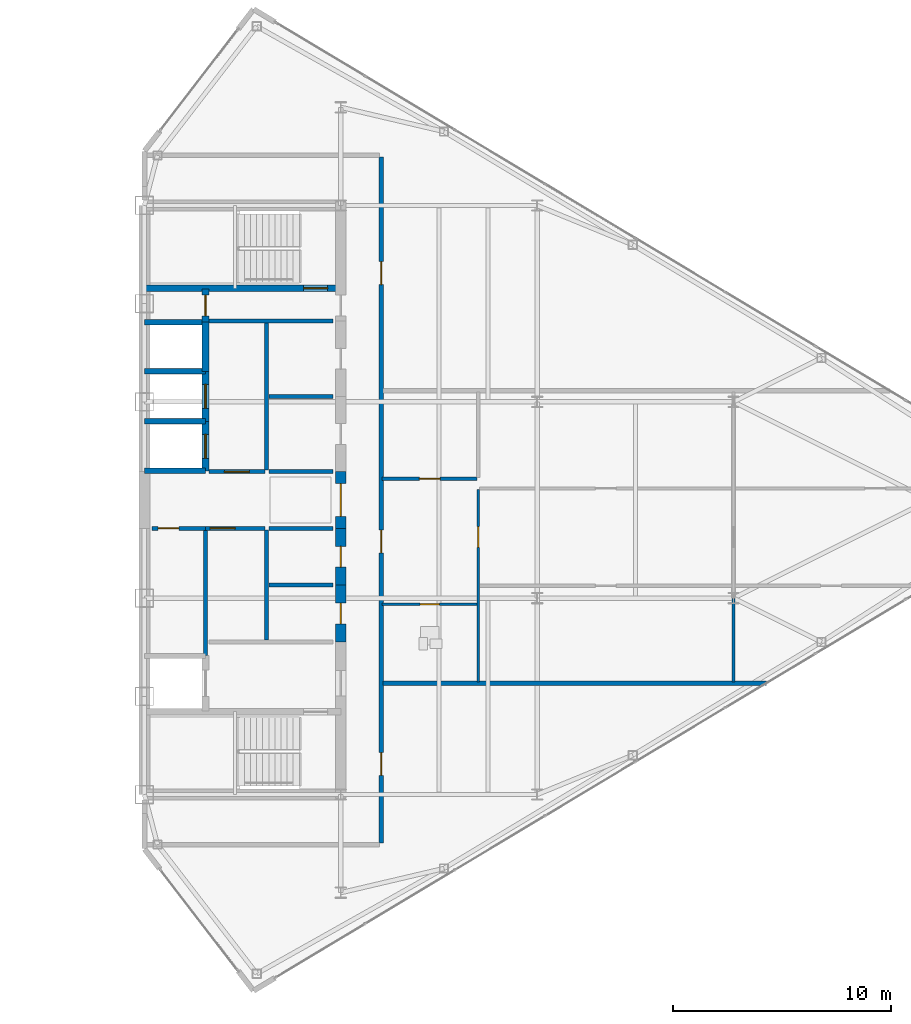
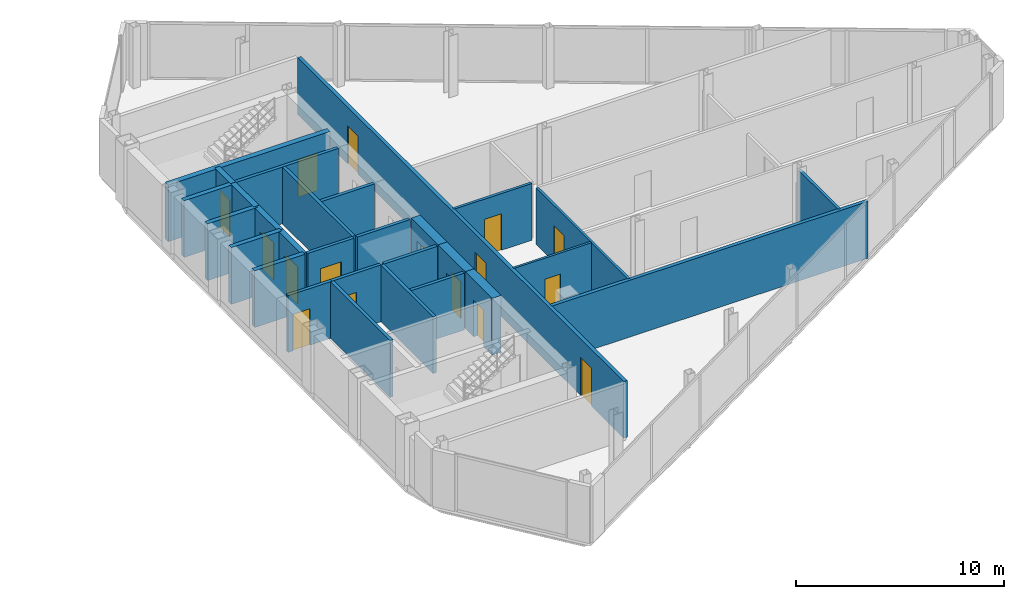
# One storey, part 22 of 26: 29 walls, 16 doors, 16 openings.
"""IFC4 building model written with IfcOpenShell, lengths in metres."""

from ifc_helpers import new_model, si_unit, direction, frame, frame_2d, origin, place, context, subcontext, project, spatial, rectangle, extrude, source, transform, mapped, material, layer, layer_set, type_object, type_shapes, element, fill, save


model = new_model("IFC4")

# Units and contexts
model_context = context("Model", 3, precision=1e-05, world=origin(), true_north=direction((0.0, 1.0)))
body_context = subcontext(model_context, "Body", "Model", "MODEL_VIEW")
ifc_project = project(units=[si_unit("LENGTHUNIT", "METRE"), si_unit("AREAUNIT", "SQUARE_METRE"), si_unit("VOLUMEUNIT", "CUBIC_METRE"), si_unit("PLANEANGLEUNIT", "RADIAN"), si_unit("MASSUNIT", "GRAM", prefix="KILO")], contexts=[model_context])

# Site, building, storey
site_placement = place(None, origin())
site = spatial("IfcSite", under=ifc_project, at=site_placement, CompositionType="ELEMENT")
building_placement = place(site_placement, origin())
building = spatial("IfcBuilding", under=site, at=building_placement, Name="Seokmaru Belvedere", CompositionType="ELEMENT")
storey_placement = place(building_placement, frame((0.0, 0.0, 221.10009765625)))
storey = spatial("IfcBuildingStorey", under=building, at=storey_placement, Name="L59", CompositionType="ELEMENT", Elevation=221.10009765625)

# Wall, opening, door
ifc_material_1 = material(Name="Fire-Rated Gypsum Shaftwall")
ifc_layer_1 = layer(ifc_material_1, 0.14990234375)
ifc_layer_set_1 = layer_set([ifc_layer_1], Name="Fire-Rated Gypsum Shaftwall")
wall_type_1 = type_object("IfcWallType", Name="Apartment Fire-Acoustic Room Partition 150", PredefinedType="PARTITIONING", material=ifc_layer_set_1)
wall_1_placement = place(storey_placement, frame((38.39990234375, 0.97998046875, 0.0), z_axis=(0.0, 0.0, 1.0), x_axis=(1.0, 0.0, 0.0)))
wall_1 = element("IfcWall", 1, at=wall_1_placement, inside=storey, type_object=wall_type_1, Name="L59 Interior Partition 010", PredefinedType="PARTITIONING", context=body_context, shape_type="SweptSolid", body=[
    extrude(rectangle(XDim=4.35009765625, YDim=0.14990234375, at=frame_2d((2.175048828125, 0.0))), origin(), (0.0, 0.0, 1.0), 3.33984375),
])
opening_1_placement = place(wall_1_placement, frame((1.699951171875, 0.0, 0.0)))
opening_1 = element("IfcOpeningElement", 2, at=opening_1_placement, cuts=wall_1, Name="Opening D05", PredefinedType="OPENING", context=body_context, shape_type="SweptSolid", body=[
    extrude(rectangle(XDim=0.949951171875, YDim=2.14990234375, at=frame_2d((0.47509765625, 1.074951171875))), frame((0.0, 0.0849609375, 0.0), z_axis=(0.0, -1.0, 0.0), x_axis=(1.0, 0.0, 0.0)), (0.0, 0.0, 1.0), 0.169921875),
])
ifc_material_2 = material(Name="Engineered White Oak Timber", Category="wood")
door_type_1 = type_object("IfcDoorType", Name="Apartment Interior Fire-Rated Oak Door 950x2150", OperationType="NOTDEFINED", PredefinedType="DOOR", material=ifc_material_2)
shared_shape_1 = source(origin(), body_context, "Body", "SweptSolid", [
    extrude(rectangle(XDim=0.949951171875, YDim=2.14990234375, at=frame_2d((0.47509765625, 1.074951171875))), frame((0.0, 0.02490234375, 0.0), z_axis=(0.0, -1.0, 0.0), x_axis=(1.0, 0.0, 0.0)), (0.0, 0.0, 1.0), 0.050048828125),
])
type_shapes(door_type_1, [shared_shape_1])
door_1_placement = place(opening_1_placement, origin())
door_1 = element("IfcDoor", 3, at=door_1_placement, inside=storey, type_object=door_type_1, Name="L59 Interior Door 020", OperationType="SINGLE_SWING_RIGHT", OverallHeight=2.14990234375, OverallWidth=0.949951171875, PredefinedType="DOOR", context=body_context, shape_type="MappedRepresentation", body=[
    mapped(shared_shape_1, transform((0.0, 0.0, 0.0), scale=1.0)),
])
fill(opening_1, door_1)

# Walls
wall_2_placement = place(storey_placement, frame((54.5, -8.35009765625, 0.0), z_axis=(0.0, 0.0, 1.0), x_axis=(0.0, 1.0, 0.0)))
element("IfcWall", 4, at=wall_2_placement, inside=storey, type_object=wall_type_1, Name="L59 Interior Partition 030", PredefinedType="PARTITIONING", context=body_context, shape_type="SweptSolid", body=[
    extrude(rectangle(XDim=3.830078125, YDim=0.14990234375, at=frame_2d((1.9150390625, 0.0))), origin(), (0.0, 0.0, 1.0), 3.33984375),
])
ifc_layer_2 = layer(ifc_material_1, 0.179931640625)
ifc_layer_set_2 = layer_set([ifc_layer_2], Name="Fire-Rated Gypsum Shaftwall")
wall_type_2 = type_object("IfcWallType", Name="Core Service Fire Partition 180", PredefinedType="PARTITIONING", material=ifc_layer_set_2)
wall_3_placement = place(storey_placement, frame((30.449951171875, 8.199951171875, 0.0), z_axis=(0.0, 0.0, 1.0), x_axis=(1.0, 0.0, 0.0)))
element("IfcWall", 5, at=wall_3_placement, inside=storey, type_object=wall_type_2, Name="L59 East Smokeproof Vestibule Partition", PredefinedType="PARTITIONING", context=body_context, shape_type="SweptSolid", body=[
    extrude(rectangle(XDim=5.699951171875, YDim=0.179931640625, at=frame_2d((2.85009765625, 0.0))), origin(), (0.0, 0.0, 1.0), 3.33984375),
])
wall_4_placement = place(storey_placement, frame((33.10009765625, -6.419921875, 0.0), z_axis=(0.0, 0.0, 1.0), x_axis=(0.0, 1.0, 0.0)))
element("IfcWall", 6, at=wall_4_placement, inside=storey, type_object=wall_type_2, Name="L59 East South Core Service Back Wall", PredefinedType="PARTITIONING", context=body_context, shape_type="SweptSolid", body=[
    extrude(rectangle(XDim=5.0400390625, YDim=0.179931640625, at=frame_2d((2.52001953125, 0.0))), origin(), (0.0, 0.0, 1.0), 3.33984375),
])
wall_5_placement = place(storey_placement, frame((33.10009765625, 1.3798828125, 0.0), z_axis=(0.0, 0.0, 1.0), x_axis=(0.0, 1.0, 0.0)))
element("IfcWall", 7, at=wall_5_placement, inside=storey, type_object=wall_type_2, Name="L59 East North Core Service Back Wall", PredefinedType="PARTITIONING", context=body_context, shape_type="SweptSolid", body=[
    extrude(rectangle(XDim=6.740234375, YDim=0.179931640625, at=frame_2d((3.3701171875, 0.0))), origin(), (0.0, 0.0, 1.0), 3.33984375),
])

# Wall, opening, door
wall_6_placement = place(storey_placement, frame((27.85009765625, -1.300048828125, 0.0), z_axis=(0.0, 0.0, 1.0), x_axis=(1.0, 0.0, 0.0)))
wall_6 = element("IfcWall", 8, at=wall_6_placement, inside=storey, type_object=wall_type_2, Name="L59 East South Parcel Vault Foyer Wall", PredefinedType="PARTITIONING", context=body_context, shape_type="SweptSolid", body=[
    extrude(rectangle(XDim=2.449951171875, YDim=0.179931640625, at=frame_2d((1.22509765625, 0.0))), origin(), (0.0, 0.0, 1.0), 3.33984375),
])
opening_2_placement = place(wall_6_placement, frame((0.27490234375, 0.0, 0.0)))
opening_2 = element("IfcOpeningElement", 9, at=opening_2_placement, cuts=wall_6, Name="Opening D04", PredefinedType="OPENING", context=body_context, shape_type="SweptSolid", body=[
    extrude(rectangle(XDim=0.949951171875, YDim=2.14990234375, at=frame_2d((0.47509765625, 1.074951171875))), frame((0.0, 0.10009765625, 0.0), z_axis=(0.0, -1.0, 0.0), x_axis=(1.0, 0.0, 0.0)), (0.0, 0.0, 1.0), 0.199951171875),
])
ifc_material_3 = material(Name="Fire-Rated Steel Leaf", Category="steel")
door_type_2 = type_object("IfcDoorType", Name="Core Service Room Fire Door 950x2150", OperationType="NOTDEFINED", PredefinedType="DOOR", material=ifc_material_3)
shared_shape_2 = source(origin(), body_context, "Body", "SweptSolid", [
    extrude(rectangle(XDim=0.949951171875, YDim=2.14990234375, at=frame_2d((0.47509765625, 1.074951171875))), frame((0.0, 0.02490234375, 0.0), z_axis=(0.0, -1.0, 0.0), x_axis=(1.0, 0.0, 0.0)), (0.0, 0.0, 1.0), 0.050048828125),
])
type_shapes(door_type_2, [shared_shape_2])
door_2_placement = place(opening_2_placement, origin())
door_2 = element("IfcDoor", 10, at=door_2_placement, inside=storey, type_object=door_type_2, Name="L59 East South Parcel Vault Door", OperationType="SINGLE_SWING_RIGHT", OverallHeight=2.14990234375, OverallWidth=0.949951171875, PredefinedType="DOOR", context=body_context, shape_type="MappedRepresentation", body=[
    mapped(shared_shape_2, transform((0.0, 0.0, 0.0), scale=1.0)),
])
fill(opening_2, door_2)

wall_7_placement = place(storey_placement, frame((30.300048828125, -1.300048828125, 0.0), z_axis=(0.0, 0.0, 1.0), x_axis=(1.0, 0.0, 0.0)))
wall_7 = element("IfcWall", 11, at=wall_7_placement, inside=storey, type_object=wall_type_2, Name="L59 East South Wine Cellar Foyer Wall", PredefinedType="PARTITIONING", context=body_context, shape_type="SweptSolid", body=[
    extrude(rectangle(XDim=2.719970703125, YDim=0.179931640625, at=frame_2d((1.35986328125, 0.0))), origin(), (0.0, 0.0, 1.0), 3.33984375),
])
opening_3_placement = place(wall_7_placement, frame((0.2099609375, 0.0, 0.0)))
opening_3 = element("IfcOpeningElement", 12, at=opening_3_placement, cuts=wall_7, Name="Opening D02", PredefinedType="OPENING", context=body_context, shape_type="SweptSolid", body=[
    extrude(rectangle(XDim=1.14990234375, YDim=2.199951171875, at=frame_2d((0.574951171875, 1.10009765625))), frame((0.0, 0.10009765625, 0.0), z_axis=(0.0, -1.0, 0.0), x_axis=(1.0, 0.0, 0.0)), (0.0, 0.0, 1.0), 0.199951171875),
])
door_type_3 = type_object("IfcDoorType", Name="Lobby and Vestibule Fire Door 1150x2200", OperationType="NOTDEFINED", PredefinedType="DOOR", material=ifc_material_3)
shared_shape_3 = source(origin(), body_context, "Body", "SweptSolid", [
    extrude(rectangle(XDim=1.14990234375, YDim=2.199951171875, at=frame_2d((0.574951171875, 1.10009765625))), frame((0.0, 0.02490234375, 0.0), z_axis=(0.0, -1.0, 0.0), x_axis=(1.0, 0.0, 0.0)), (0.0, 0.0, 1.0), 0.050048828125),
])
type_shapes(door_type_3, [shared_shape_3])
door_3_placement = place(opening_3_placement, origin())
door_3 = element("IfcDoor", 13, at=door_3_placement, inside=storey, type_object=door_type_3, Name="L59 East South Core Foyer Door", OperationType="SINGLE_SWING_RIGHT", OverallHeight=2.199951171875, OverallWidth=1.14990234375, PredefinedType="DOOR", context=body_context, shape_type="MappedRepresentation", body=[
    mapped(shared_shape_3, transform((0.0, 0.0, 0.0), scale=1.0)),
])
fill(opening_3, door_3)

# Wall
wall_8_placement = place(storey_placement, frame((30.300048828125, -7.1201171875, 0.0), z_axis=(0.0, 0.0, 1.0), x_axis=(0.0, 1.0, 0.0)))
element("IfcWall", 14, at=wall_8_placement, inside=storey, type_object=wall_type_2, Name="L59 East Freed Shaft Vault Partition", PredefinedType="PARTITIONING", context=body_context, shape_type="SweptSolid", body=[
    extrude(rectangle(XDim=5.740234375, YDim=0.179931640625, at=frame_2d((2.8701171875, 0.0))), origin(), (0.0, 0.0, 1.0), 3.33984375),
])

# Wall, opening, door
wall_9_placement = place(storey_placement, frame((30.449951171875, 1.300048828125, 0.0), z_axis=(0.0, 0.0, 1.0), x_axis=(1.0, 0.0, 0.0)))
wall_9 = element("IfcWall", 15, at=wall_9_placement, inside=storey, type_object=wall_type_2, Name="L59 East North Lift Lobby Foyer Wall", PredefinedType="PARTITIONING", context=body_context, shape_type="SweptSolid", body=[
    extrude(rectangle(XDim=2.570068359375, YDim=0.179931640625, at=frame_2d((1.28515625, 0.0))), origin(), (0.0, 0.0, 1.0), 3.33984375),
])
opening_4_placement = place(wall_9_placement, frame((0.7099609375, 0.0, 0.0)))
opening_4 = element("IfcOpeningElement", 16, at=opening_4_placement, cuts=wall_9, Name="Opening D02", PredefinedType="OPENING", context=body_context, shape_type="SweptSolid", body=[
    extrude(rectangle(XDim=1.14990234375, YDim=2.199951171875, at=frame_2d((0.574951171875, 1.10009765625))), frame((0.0, 0.10009765625, 0.0), z_axis=(0.0, -1.0, 0.0), x_axis=(1.0, 0.0, 0.0)), (0.0, 0.0, 1.0), 0.199951171875),
])
door_4_placement = place(opening_4_placement, origin())
door_4 = element("IfcDoor", 17, at=door_4_placement, inside=storey, type_object=door_type_3, Name="L59 East North Lift Lobby Door", OperationType="SINGLE_SWING_LEFT", OverallHeight=2.199951171875, OverallWidth=1.14990234375, PredefinedType="DOOR", context=body_context, shape_type="MappedRepresentation", body=[
    mapped(shared_shape_3, transform((0.0, 0.0, 0.0), scale=1.0)),
])
fill(opening_4, door_4)

# Walls
for number, where, z_axis, x_axis, name in (
    (18, (33.199951171875, -1.300048828125, 0.0), (0.0, 0.0, 1.0), (1.0, 0.0, 0.0), "L59 East Foyer Side Wall S"),
    (19, (33.199951171875, 1.300048828125, 0.0), (0.0, 0.0, 1.0), (1.0, 0.0, 0.0), "L59 East Foyer Side Wall N"),
    (20, (33.199951171875, -3.89990234375, 0.0), (0.0, 0.0, 1.0), (1.0, 0.0, 0.0), "L59 East Core Service Partition 1"),
    (21, (33.199951171875, 4.75, 0.0), (0.0, 0.0, 1.0), (1.0, 0.0, 0.0), "L59 East Core Service Partition 2"),
):
    element("IfcWall", number, at=place(storey_placement, frame(where, z_axis=z_axis, x_axis=x_axis)), inside=storey, type_object=wall_type_2, Name=name, PredefinedType="PARTITIONING", context=body_context, shape_type="SweptSolid", body=[
        extrude(rectangle(XDim=2.949951171875, YDim=0.179931640625, at=frame_2d((1.47509765625, 0.0))), origin(), (0.0, 0.0, 1.0), 3.33984375),
    ])
ifc_material_4 = material(Name="Concrete C50 (50 MPa)", Category="concrete")
ifc_layer_3 = layer(ifc_material_4, 0.25)
ifc_layer_set_3 = layer_set([ifc_layer_3], Name="Concrete C50 (50 MPa)")
wall_type_3 = type_object("IfcWallType", Name="Hoistway Transverse Concrete Divider Wall 250", PredefinedType="SHEAR", material=ifc_layer_set_3)
for number, where, z_axis, x_axis, name in (
    (22, (27.5, 1.35009765625, 0.0), (0.0, 0.0, 1.0), (1.0, 0.0, 0.0), "L59 East Hoistway Divider Core Wall 2"),
    (23, (27.5, 3.60009765625, 0.0), (0.0, 0.0, 1.0), (1.0, 0.0, 0.0), "L59 East Hoistway Divider Core Wall 3"),
    (24, (27.5, 5.89990234375, 0.0), (0.0, 0.0, 1.0), (1.0, 0.0, 0.0), "L59 East Hoistway Divider Core Wall 4"),
    (25, (27.5, 8.14990234375, 0.0), (0.0, 0.0, 1.0), (1.0, 0.0, 0.0), "L59 East Hoistway Divider Core Wall 5"),
):
    element("IfcWall", number, at=place(storey_placement, frame(where, z_axis=z_axis, x_axis=x_axis)), inside=storey, type_object=wall_type_3, Name=name, PredefinedType="SHEAR", context=body_context, shape_type="SweptSolid", body=[
        extrude(rectangle(XDim=2.800048828125, YDim=0.25, at=frame_2d((1.39990234375, 0.0))), origin(), (0.0, 0.0, 1.0), 3.33984375),
    ])
ifc_layer_4 = layer(ifc_material_1, 0.199951171875)
ifc_layer_set_4 = layer_set([ifc_layer_4], Name="Fire-Rated Gypsum Shaftwall")
wall_type_4 = type_object("IfcWallType", Name="Inter-Tenancy Fire Compartment Partition 200", PredefinedType="PARTITIONING", material=ifc_layer_set_4)
wall_10_placement = place(storey_placement, frame((38.429931640625, -8.39990234375, 0.0), z_axis=(0.0, 0.0, 1.0), x_axis=(1.0, 0.0, 0.0)))
element("IfcWall", 26, at=wall_10_placement, inside=storey, type_object=wall_type_4, Name="L59 Interior Partition 003", PredefinedType="PARTITIONING", context=body_context, shape_type="SweptSolid", body=[
    extrude(rectangle(XDim=17.580078125, YDim=0.199951171875, at=frame_2d((8.7900390625, 0.0))), origin(), (0.0, 0.0, 1.0), 3.33984375),
])

# Wall, openings, doors
wall_11_placement = place(storey_placement, frame((38.35009765625, -15.715087890625, 0.0), z_axis=(0.0, 0.0, 1.0), x_axis=(0.0, 1.0, 0.0)))
wall_11 = element("IfcWall", 27, at=wall_11_placement, inside=storey, type_object=wall_type_4, Name="L59 Interior Partition 027", PredefinedType="PARTITIONING", context=body_context, shape_type="SweptSolid", body=[
    extrude(rectangle(XDim=31.43017578125, YDim=0.199951171875, at=frame_2d((15.715087890625, 0.0))), origin(), (0.0, 0.0, 1.0), 3.33984375),
])
opening_5_placement = place(wall_11_placement, frame((3.090087890625, 0.0, 0.0)))
opening_5 = element("IfcOpeningElement", 28, at=opening_5_placement, cuts=wall_11, Name="Opening D03", PredefinedType="OPENING", context=body_context, shape_type="SweptSolid", body=[
    extrude(rectangle(XDim=1.050048828125, YDim=2.25, at=frame_2d((0.52490234375, 1.125))), frame((0.0, 0.10986328125, 0.0), z_axis=(0.0, -1.0, 0.0), x_axis=(1.0, 0.0, 0.0)), (0.0, 0.0, 1.0), 0.219970703125),
])
opening_6_placement = place(wall_11_placement, frame((13.2890625, 0.0, 0.0)))
opening_6 = element("IfcOpeningElement", 29, at=opening_6_placement, cuts=wall_11, Name="Opening D03", PredefinedType="OPENING", context=body_context, shape_type="SweptSolid", body=[
    extrude(rectangle(XDim=1.050048828125, YDim=2.25, at=frame_2d((0.52490234375, 1.125))), frame((0.0, 0.10986328125, 0.0), z_axis=(0.0, -1.0, 0.0), x_axis=(1.0, 0.0, 0.0)), (0.0, 0.0, 1.0), 0.219970703125),
])
opening_7_placement = place(wall_11_placement, frame((25.590087890625, 0.0, 0.0)))
opening_7 = element("IfcOpeningElement", 30, at=opening_7_placement, cuts=wall_11, Name="Opening D03", PredefinedType="OPENING", context=body_context, shape_type="SweptSolid", body=[
    extrude(rectangle(XDim=1.050048828125, YDim=2.25, at=frame_2d((0.52490234375, 1.125))), frame((0.0, 0.10986328125, 0.0), z_axis=(0.0, -1.0, 0.0), x_axis=(1.0, 0.0, 0.0)), (0.0, 0.0, 1.0), 0.219970703125),
])
door_type_4 = type_object("IfcDoorType", Name="Apartment Entrance Fire Door 1050x2250", OperationType="NOTDEFINED", PredefinedType="DOOR", material=ifc_material_3)
shared_shape_4 = source(origin(), body_context, "Body", "SweptSolid", [
    extrude(rectangle(XDim=1.050048828125, YDim=2.25, at=frame_2d((0.52490234375, 1.125))), frame((0.0, 0.02490234375, 0.0), z_axis=(0.0, -1.0, 0.0), x_axis=(1.0, 0.0, 0.0)), (0.0, 0.0, 1.0), 0.050048828125),
])
type_shapes(door_type_4, [shared_shape_4])
door_5_placement = place(opening_5_placement, origin())
door_5 = element("IfcDoor", 31, at=door_5_placement, inside=storey, type_object=door_type_4, Name="L59 Interior Door 017", OperationType="SINGLE_SWING_LEFT", OverallHeight=2.25, OverallWidth=1.050048828125, PredefinedType="DOOR", context=body_context, shape_type="MappedRepresentation", body=[
    mapped(shared_shape_4, transform((0.0, 0.0, 0.0), scale=1.0)),
])
fill(opening_5, door_5)
door_6_placement = place(opening_6_placement, origin())
door_6 = element("IfcDoor", 32, at=door_6_placement, inside=storey, type_object=door_type_4, Name="L59 Interior Door 018", OperationType="SINGLE_SWING_RIGHT", OverallHeight=2.25, OverallWidth=1.050048828125, PredefinedType="DOOR", context=body_context, shape_type="MappedRepresentation", body=[
    mapped(shared_shape_4, transform((0.0, 0.0, 0.0), scale=1.0)),
])
fill(opening_6, door_6)
door_7_placement = place(opening_7_placement, origin())
door_7 = element("IfcDoor", 33, at=door_7_placement, inside=storey, type_object=door_type_4, Name="L59 Interior Door 027", OperationType="SINGLE_SWING_LEFT", OverallHeight=2.25, OverallWidth=1.050048828125, PredefinedType="DOOR", context=body_context, shape_type="MappedRepresentation", body=[
    mapped(shared_shape_4, transform((0.0, 0.0, 0.0), scale=1.0)),
])
fill(opening_7, door_7)

# Wall, opening, door
ifc_layer_5 = layer(ifc_material_4, 0.300048828125)
ifc_layer_set_5 = layer_set([ifc_layer_5], Name="Concrete C50 (50 MPa)")
wall_type_5 = type_object("IfcWallType", Name="Internal Core Stair and Hoistway Wall 300", PredefinedType="SHEAR", material=ifc_layer_set_5)
wall_12_placement = place(storey_placement, frame((27.5, 9.699951171875, 0.0), z_axis=(0.0, 0.0, 1.0), x_axis=(1.0, 0.0, 0.0)))
wall_12 = element("IfcWall", 34, at=wall_12_placement, inside=storey, type_object=wall_type_5, Name="L59 East Stair ST-2 Enclosure Wall", PredefinedType="SHEAR", context=body_context, shape_type="SweptSolid", body=[
    extrude(rectangle(XDim=9.0, YDim=0.300048828125, at=frame_2d((4.5, 0.0))), origin(), (0.0, 0.0, 1.0), 3.33984375),
])
opening_8_placement = place(wall_12_placement, frame((7.300048828125, 0.0, 0.0)))
opening_8 = element("IfcOpeningElement", 35, at=opening_8_placement, cuts=wall_12, Name="Opening D01", PredefinedType="OPENING", context=body_context, shape_type="SweptSolid", body=[
    extrude(rectangle(XDim=1.10009765625, YDim=2.199951171875, at=frame_2d((0.550048828125, 1.10009765625))), frame((0.0, 0.16015625, 0.0), z_axis=(0.0, -1.0, 0.0), x_axis=(1.0, 0.0, 0.0)), (0.0, 0.0, 1.0), 0.320068359375),
])
door_type_5 = type_object("IfcDoorType", Name="Special Escape Stair Smokeproof Fire Door 1100x2200", OperationType="NOTDEFINED", PredefinedType="DOOR", material=ifc_material_3)
shared_shape_5 = source(origin(), body_context, "Body", "SweptSolid", [
    extrude(rectangle(XDim=1.10009765625, YDim=2.199951171875, at=frame_2d((0.550048828125, 1.10009765625))), frame((0.0, 0.02490234375, 0.0), z_axis=(0.0, -1.0, 0.0), x_axis=(1.0, 0.0, 0.0)), (0.0, 0.0, 1.0), 0.050048828125),
])
type_shapes(door_type_5, [shared_shape_5])
door_8_placement = place(opening_8_placement, origin())
door_8 = element("IfcDoor", 36, at=door_8_placement, inside=storey, type_object=door_type_5, Name="L59 East Special Escape Stair ST-2 Door", OperationType="SINGLE_SWING_LEFT", OverallHeight=2.199951171875, OverallWidth=1.10009765625, PredefinedType="DOOR", context=body_context, shape_type="MappedRepresentation", body=[
    mapped(shared_shape_5, transform((0.0, 0.0, 0.0), scale=1.0)),
])
fill(opening_8, door_8)

wall_13_placement = place(storey_placement, frame((30.300048828125, 1.320068359375, 0.0), z_axis=(0.0, 0.0, 1.0), x_axis=(0.0, 1.0, 0.0)))
wall_13 = element("IfcWall", 37, at=wall_13_placement, inside=storey, type_object=wall_type_5, Name="L59 East North Hoistway Wall PH1", PredefinedType="SHEAR", context=body_context, shape_type="SweptSolid", body=[
    extrude(rectangle(XDim=2.280029296875, YDim=0.300048828125, at=frame_2d((1.14013671875, 0.0))), origin(), (0.0, 0.0, 1.0), 3.33984375),
])
opening_9_placement = place(wall_13_placement, frame((0.590087890625, 0.0, 0.0)))
opening_9 = element("IfcOpeningElement", 38, at=opening_9_placement, cuts=wall_13, Name="Opening LD1", PredefinedType="OPENING", context=body_context, shape_type="SweptSolid", body=[
    extrude(rectangle(XDim=1.10009765625, YDim=2.199951171875, at=frame_2d((0.550048828125, 1.10009765625))), frame((0.0, 0.16015625, 0.0), z_axis=(0.0, -1.0, 0.0), x_axis=(1.0, 0.0, 0.0)), (0.0, 0.0, 1.0), 0.320068359375),
])
ifc_material_5 = material(Name="Stainless Steel 316", Category="steel")
door_type_6 = type_object("IfcDoorType", Name="Passenger Lift Sliding Landing Door 1100x2200", OperationType="DOUBLE_DOOR_SLIDING", PredefinedType="DOOR", material=ifc_material_5)
shared_shape_6 = source(origin(), body_context, "Body", "SweptSolid", [
    extrude(rectangle(XDim=1.10009765625, YDim=2.199951171875, at=frame_2d((0.550048828125, 1.10009765625))), frame((0.0, 0.02490234375, 0.0), z_axis=(0.0, -1.0, 0.0), x_axis=(1.0, 0.0, 0.0)), (0.0, 0.0, 1.0), 0.050048828125),
])
type_shapes(door_type_6, [shared_shape_6])
door_9_placement = place(opening_9_placement, origin())
door_9 = element("IfcDoor", 39, at=door_9_placement, inside=storey, type_object=door_type_6, Name="L59 East High-Rise Lift PH-1 Landing Door", OperationType="DOUBLE_DOOR_SLIDING", OverallHeight=2.199951171875, OverallWidth=1.10009765625, PredefinedType="DOOR", context=body_context, shape_type="MappedRepresentation", body=[
    mapped(shared_shape_6, transform((0.0, 0.0, 0.0), scale=1.0)),
])
fill(opening_9, door_9)

wall_14_placement = place(storey_placement, frame((30.300048828125, 3.60009765625, 0.0), z_axis=(0.0, 0.0, 1.0), x_axis=(0.0, 1.0, 0.0)))
wall_14 = element("IfcWall", 40, at=wall_14_placement, inside=storey, type_object=wall_type_5, Name="L59 East North Hoistway Wall PH2", PredefinedType="SHEAR", context=body_context, shape_type="SweptSolid", body=[
    extrude(rectangle(XDim=2.2998046875, YDim=0.300048828125, at=frame_2d((1.14990234375, 0.0))), origin(), (0.0, 0.0, 1.0), 3.33984375),
])
opening_10_placement = place(wall_14_placement, frame((0.60009765625, 0.0, 0.0)))
opening_10 = element("IfcOpeningElement", 41, at=opening_10_placement, cuts=wall_14, Name="Opening LD1", PredefinedType="OPENING", context=body_context, shape_type="SweptSolid", body=[
    extrude(rectangle(XDim=1.10009765625, YDim=2.199951171875, at=frame_2d((0.550048828125, 1.10009765625))), frame((0.0, 0.16015625, 0.0), z_axis=(0.0, -1.0, 0.0), x_axis=(1.0, 0.0, 0.0)), (0.0, 0.0, 1.0), 0.320068359375),
])
door_10_placement = place(opening_10_placement, origin())
door_10 = element("IfcDoor", 42, at=door_10_placement, inside=storey, type_object=door_type_6, Name="L59 East High-Rise Lift PH-2 Landing Door", OperationType="DOUBLE_DOOR_SLIDING", OverallHeight=2.199951171875, OverallWidth=1.10009765625, PredefinedType="DOOR", context=body_context, shape_type="MappedRepresentation", body=[
    mapped(shared_shape_6, transform((0.0, 0.0, 0.0), scale=1.0)),
])
fill(opening_10, door_10)

# Wall
wall_15_placement = place(storey_placement, frame((30.300048828125, 5.89990234375, 0.0), z_axis=(0.0, 0.0, 1.0), x_axis=(0.0, 1.0, 0.0)))
element("IfcWall", 43, at=wall_15_placement, inside=storey, type_object=wall_type_5, Name="L59 East North Hoistway Wall OBS", PredefinedType="SHEAR", context=body_context, shape_type="SweptSolid", body=[
    extrude(rectangle(XDim=2.25, YDim=0.300048828125, at=frame_2d((1.125, 0.0))), origin(), (0.0, 0.0, 1.0), 3.33984375),
])

# Wall, opening, door
wall_16_placement = place(storey_placement, frame((30.300048828125, 8.14990234375, 0.0), z_axis=(0.0, 0.0, 1.0), x_axis=(0.0, 1.0, 0.0)))
wall_16 = element("IfcWall", 44, at=wall_16_placement, inside=storey, type_object=wall_type_5, Name="L59 East Electrical Riser Front Wall", PredefinedType="SHEAR", context=body_context, shape_type="SweptSolid", body=[
    extrude(rectangle(XDim=1.530029296875, YDim=0.300048828125, at=frame_2d((0.76513671875, 0.0))), origin(), (0.0, 0.0, 1.0), 3.33984375),
])
opening_11_placement = place(wall_16_placement, frame((0.284912109375, 0.0, 0.0)))
opening_11 = element("IfcOpeningElement", 45, at=opening_11_placement, cuts=wall_16, Name="Opening D04", PredefinedType="OPENING", context=body_context, shape_type="SweptSolid", body=[
    extrude(rectangle(XDim=0.949951171875, YDim=2.14990234375, at=frame_2d((0.47509765625, 1.074951171875))), frame((0.0, 0.16015625, 0.0), z_axis=(0.0, -1.0, 0.0), x_axis=(1.0, 0.0, 0.0)), (0.0, 0.0, 1.0), 0.320068359375),
])
door_11_placement = place(opening_11_placement, origin())
door_11 = element("IfcDoor", 46, at=door_11_placement, inside=storey, type_object=door_type_2, Name="L59 East Electrical Riser Access Door", OperationType="SINGLE_SWING_RIGHT", OverallHeight=2.14990234375, OverallWidth=0.949951171875, PredefinedType="DOOR", context=body_context, shape_type="MappedRepresentation", body=[
    mapped(shared_shape_2, transform((0.0, 0.0, 0.0), scale=1.0)),
])
fill(opening_11, door_11)

ifc_layer_6 = layer(ifc_material_1, 0.1298828125)
ifc_layer_set_6 = layer_set([ifc_layer_6], Name="Fire-Rated Gypsum Shaftwall")
wall_type_6 = type_object("IfcWallType", Name="Moisture-Resistant Fire-Rated Bathroom Partition 130", PredefinedType="PARTITIONING", material=ifc_layer_set_6)
wall_17_placement = place(storey_placement, frame((38.39990234375, -4.780029296875, 0.0), z_axis=(0.0, 0.0, 1.0), x_axis=(1.0, 0.0, 0.0)))
wall_17 = element("IfcWall", 47, at=wall_17_placement, inside=storey, type_object=wall_type_6, Name="L59 Interior Partition 005", PredefinedType="PARTITIONING", context=body_context, shape_type="SweptSolid", body=[
    extrude(rectangle(XDim=4.35009765625, YDim=0.1298828125, at=frame_2d((2.175048828125, 0.0))), origin(), (0.0, 0.0, 1.0), 3.33984375),
])
opening_12_placement = place(wall_17_placement, frame((1.735107421875, 0.0, 0.0)))
opening_12 = element("IfcOpeningElement", 48, at=opening_12_placement, cuts=wall_17, Name="Opening D06", PredefinedType="OPENING", context=body_context, shape_type="SweptSolid", body=[
    extrude(rectangle(XDim=0.8798828125, YDim=2.10009765625, at=frame_2d((0.43994140625, 1.050048828125))), frame((0.0, 0.074951171875, 0.0), z_axis=(0.0, -1.0, 0.0), x_axis=(1.0, 0.0, 0.0)), (0.0, 0.0, 1.0), 0.14990234375),
])
door_type_7 = type_object("IfcDoorType", Name="Bathroom and Restroom Fire-Rated Door 880x2100", OperationType="NOTDEFINED", PredefinedType="DOOR", material=ifc_material_2)
shared_shape_7 = source(origin(), body_context, "Body", "SweptSolid", [
    extrude(rectangle(XDim=0.8798828125, YDim=2.10009765625, at=frame_2d((0.43994140625, 1.050048828125))), frame((0.0, 0.02490234375, 0.0), z_axis=(0.0, -1.0, 0.0), x_axis=(1.0, 0.0, 0.0)), (0.0, 0.0, 1.0), 0.050048828125),
])
type_shapes(door_type_7, [shared_shape_7])
door_12_placement = place(opening_12_placement, origin())
door_12 = element("IfcDoor", 49, at=door_12_placement, inside=storey, type_object=door_type_7, Name="L59 Interior Door 019", OperationType="SINGLE_SWING_RIGHT", OverallHeight=2.10009765625, OverallWidth=0.8798828125, PredefinedType="DOOR", context=body_context, shape_type="MappedRepresentation", body=[
    mapped(shared_shape_7, transform((0.0, 0.0, 0.0), scale=1.0)),
])
fill(opening_12, door_12)

wall_18_placement = place(storey_placement, frame((42.800048828125, -8.35009765625, 0.0), z_axis=(0.0, 0.0, 1.0), x_axis=(0.0, 1.0, 0.0)))
wall_18 = element("IfcWall", 50, at=wall_18_placement, inside=storey, type_object=wall_type_6, Name="L59 Interior Partition 028", PredefinedType="PARTITIONING", context=body_context, shape_type="SweptSolid", body=[
    extrude(rectangle(XDim=8.8330078125, YDim=0.1298828125, at=frame_2d((4.41650390625, 0.0))), origin(), (0.0, 0.0, 1.0), 3.33984375),
])
opening_13_placement = place(wall_18_placement, frame((6.175048828125, 0.0, 0.0)))
opening_13 = element("IfcOpeningElement", 51, at=opening_13_placement, cuts=wall_18, Name="Opening D05", PredefinedType="OPENING", context=body_context, shape_type="SweptSolid", body=[
    extrude(rectangle(XDim=0.949951171875, YDim=2.14990234375, at=frame_2d((0.47509765625, 1.074951171875))), frame((0.0, 0.074951171875, 0.0), z_axis=(0.0, -1.0, 0.0), x_axis=(1.0, 0.0, 0.0)), (0.0, 0.0, 1.0), 0.14990234375),
])
door_13_placement = place(opening_13_placement, origin())
door_13 = element("IfcDoor", 52, at=door_13_placement, inside=storey, type_object=door_type_1, Name="L59 Interior Door 021", OperationType="SINGLE_SWING_LEFT", OverallHeight=2.14990234375, OverallWidth=0.949951171875, PredefinedType="DOOR", context=body_context, shape_type="MappedRepresentation", body=[
    mapped(shared_shape_1, transform((0.0, 0.0, 0.0), scale=1.0)),
])
fill(opening_13, door_13)

ifc_layer_7 = layer(ifc_material_4, 0.5)
ifc_layer_set_7 = layer_set([ifc_layer_7], Name="Concrete C50 (50 MPa)")
wall_type_7 = type_object("IfcWallType", Name="Upper Tower Reinforced Concrete Core Wall 500", PredefinedType="SHEAR", material=ifc_layer_set_7)
wall_19_placement = place(storey_placement, frame((36.5, -1.300048828125, 0.0), z_axis=(0.0, 0.0, 1.0), x_axis=(0.0, 1.0, 0.0)))
wall_19 = element("IfcWall", 53, at=wall_19_placement, inside=storey, type_object=wall_type_7, Name="L59 East West Core Wall FOY", PredefinedType="SHEAR", context=body_context, shape_type="SweptSolid", body=[
    extrude(rectangle(XDim=2.60009765625, YDim=0.5, at=frame_2d((1.300048828125, 0.0))), origin(), (0.0, 0.0, 1.0), 3.33984375),
])
opening_14_placement = place(wall_19_placement, frame((0.550048828125, 0.0, 0.0)))
opening_14 = element("IfcOpeningElement", 54, at=opening_14_placement, cuts=wall_19, Name="Opening D08", PredefinedType="OPENING", context=body_context, shape_type="SweptSolid", body=[
    extrude(rectangle(XDim=1.5, YDim=2.300048828125, at=frame_2d((0.75, 1.14990234375))), frame((0.0, 0.260009765625, 0.0), z_axis=(0.0, -1.0, 0.0), x_axis=(1.0, 0.0, 0.0)), (0.0, 0.0, 1.0), 0.52001953125),
])
door_type_8 = type_object("IfcDoorType", Name="Cross-Corridor Compartment Double Fire Door 1500x2300", OperationType="DOUBLE_SWING_LEFT", PredefinedType="DOOR", material=ifc_material_3)
shared_shape_8 = source(origin(), body_context, "Body", "SweptSolid", [
    extrude(rectangle(XDim=1.5, YDim=2.300048828125, at=frame_2d((0.75, 1.14990234375))), frame((0.0, 0.02490234375, 0.0), z_axis=(0.0, -1.0, 0.0), x_axis=(1.0, 0.0, 0.0)), (0.0, 0.0, 1.0), 0.050048828125),
])
type_shapes(door_type_8, [shared_shape_8])
door_14_placement = place(opening_14_placement, origin())
door_14 = element("IfcDoor", 55, at=door_14_placement, inside=storey, type_object=door_type_8, Name="L59 East Core Foyer Compartment Door", OperationType="DOUBLE_SWING_LEFT", OverallHeight=2.300048828125, OverallWidth=1.5, PredefinedType="DOOR", context=body_context, shape_type="MappedRepresentation", body=[
    mapped(shared_shape_8, transform((0.0, 0.0, 0.0), scale=1.0)),
])
fill(opening_14, door_14)

wall_20_placement = place(storey_placement, frame((36.5, -6.5, 0.0), z_axis=(0.0, 0.0, 1.0), x_axis=(0.0, 1.0, 0.0)))
wall_20 = element("IfcWall", 56, at=wall_20_placement, inside=storey, type_object=wall_type_7, Name="L59 East West Core Wall CS1", PredefinedType="SHEAR", context=body_context, shape_type="SweptSolid", body=[
    extrude(rectangle(XDim=2.60009765625, YDim=0.5, at=frame_2d((1.300048828125, 0.0))), origin(), (0.0, 0.0, 1.0), 3.33984375),
])
opening_15_placement = place(wall_20_placement, frame((0.824951171875, 0.0, 0.0)))
opening_15 = element("IfcOpeningElement", 57, at=opening_15_placement, cuts=wall_20, Name="Opening D04", PredefinedType="OPENING", context=body_context, shape_type="SweptSolid", body=[
    extrude(rectangle(XDim=0.949951171875, YDim=2.14990234375, at=frame_2d((0.47509765625, 1.074951171875))), frame((0.0, 0.260009765625, 0.0), z_axis=(0.0, -1.0, 0.0), x_axis=(1.0, 0.0, 0.0)), (0.0, 0.0, 1.0), 0.52001953125),
])
door_15_placement = place(opening_15_placement, origin())
door_15 = element("IfcDoor", 58, at=door_15_placement, inside=storey, type_object=door_type_2, Name="L59 East Core Service Room Door 1", OperationType="SINGLE_SWING_RIGHT", OverallHeight=2.14990234375, OverallWidth=0.949951171875, PredefinedType="DOOR", context=body_context, shape_type="MappedRepresentation", body=[
    mapped(shared_shape_2, transform((0.0, 0.0, 0.0), scale=1.0)),
])
fill(opening_15, door_15)

wall_21_placement = place(storey_placement, frame((36.5, -3.89990234375, 0.0), z_axis=(0.0, 0.0, 1.0), x_axis=(0.0, 1.0, 0.0)))
wall_21 = element("IfcWall", 59, at=wall_21_placement, inside=storey, type_object=wall_type_7, Name="L59 East West Core Wall CS2", PredefinedType="SHEAR", context=body_context, shape_type="SweptSolid", body=[
    extrude(rectangle(XDim=2.599853515625, YDim=0.5, at=frame_2d((1.2998046875, 0.0))), origin(), (0.0, 0.0, 1.0), 3.33984375),
])
opening_16_placement = place(wall_21_placement, frame((0.824951171875, 0.0, 0.0)))
opening_16 = element("IfcOpeningElement", 60, at=opening_16_placement, cuts=wall_21, Name="Opening D04", PredefinedType="OPENING", context=body_context, shape_type="SweptSolid", body=[
    extrude(rectangle(XDim=0.949951171875, YDim=2.14990234375, at=frame_2d((0.47509765625, 1.074951171875))), frame((0.0, 0.260009765625, 0.0), z_axis=(0.0, -1.0, 0.0), x_axis=(1.0, 0.0, 0.0)), (0.0, 0.0, 1.0), 0.52001953125),
])
door_16_placement = place(opening_16_placement, origin())
door_16 = element("IfcDoor", 61, at=door_16_placement, inside=storey, type_object=door_type_2, Name="L59 East Core Service Room Door 2", OperationType="SINGLE_SWING_LEFT", OverallHeight=2.14990234375, OverallWidth=0.949951171875, PredefinedType="DOOR", context=body_context, shape_type="MappedRepresentation", body=[
    mapped(shared_shape_2, transform((0.0, 0.0, 0.0), scale=1.0)),
])
fill(opening_16, door_16)

save(model, "model.ifc")
